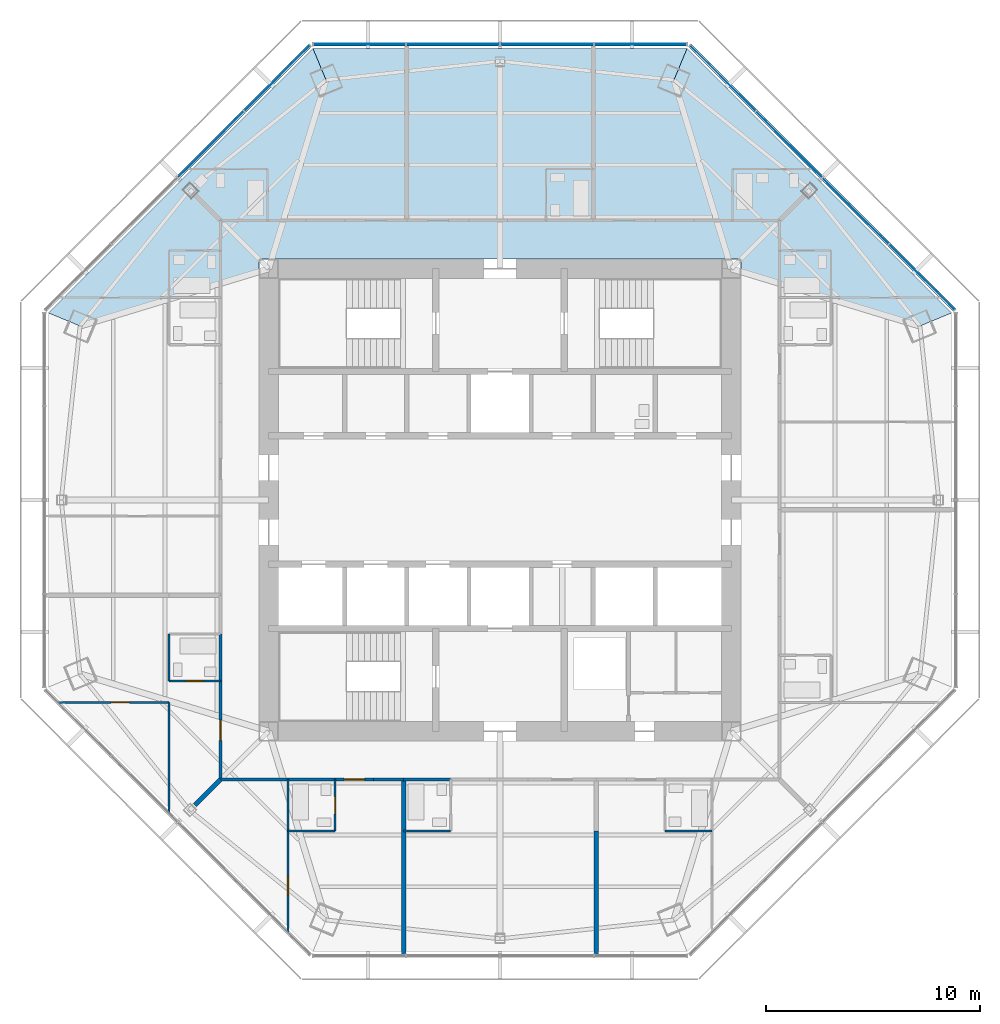
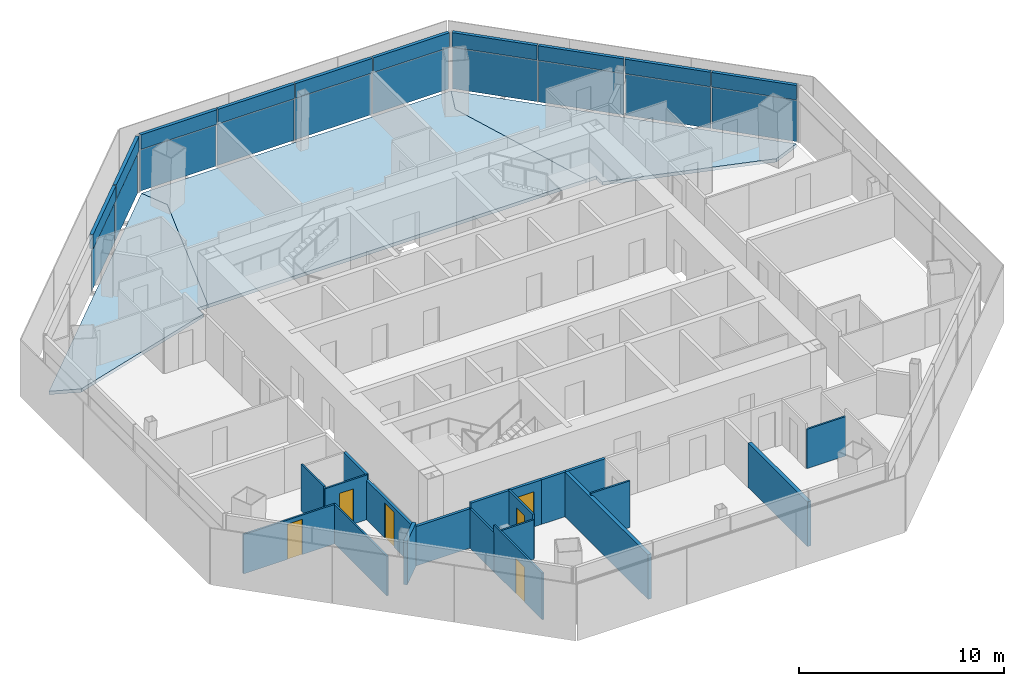
# One storey, part 8 of 14: 20 plates, 20 walls, 6 doors, 3 slabs, 6 openings, 3 elements without a shape of their own.
"""IFC4 building model written with IfcOpenShell, lengths in metres."""

from ifc_helpers import new_model, si_unit, direction, frame, frame_2d, origin, origin_2d, place, context, subcontext, project, spatial, polyline, rectangle, outline, extrude, source, transform, mapped, material, layer, layer_set, type_object, type_shapes, element, fill, aggregate, save


model = new_model("IFC4")

# Units and contexts
model_context = context("Model", 3, precision=1e-05, world=origin(), true_north=direction((0.0, 1.0)))
body_context = subcontext(model_context, "Body", "Model", "MODEL_VIEW")
ifc_project = project(units=[si_unit("LENGTHUNIT", "METRE"), si_unit("AREAUNIT", "SQUARE_METRE"), si_unit("VOLUMEUNIT", "CUBIC_METRE"), si_unit("PLANEANGLEUNIT", "RADIAN"), si_unit("MASSUNIT", "GRAM", prefix="KILO")], contexts=[model_context])

# Site, building, storey
site_placement = place(None, origin())
site = spatial("IfcSite", under=ifc_project, at=site_placement, CompositionType="ELEMENT")
building_placement = place(site_placement, origin())
building = spatial("IfcBuilding", under=site, at=building_placement, Name="Mashrafa Tower", CompositionType="ELEMENT")
storey_placement = place(building_placement, frame((0.0, 0.0, 238.0)))
storey = spatial("IfcBuildingStorey", under=building, at=storey_placement, Name="L56", CompositionType="ELEMENT", Elevation=238.0)

# Slabs
ifc_material_1 = material(Name="Concrete C35/45", Category="concrete")
ifc_layer_1 = layer(ifc_material_1, 0.199951171875)
ifc_layer_set_1 = layer_set([ifc_layer_1], Name="Floor slab 200")
slab_type = type_object("IfcSlabType", Name="Floor slab 200", PredefinedType="FLOOR", material=ifc_layer_set_1)
slab_1_placement = place(storey_placement, frame((0.0, 0.0, -0.199951171875)))
element("IfcSlab", 1, at=slab_1_placement, inside=storey, type_object=slab_type, Name="Floor slab L56 north-east bay", PredefinedType="FLOOR", context=body_context, shape_type="SweptSolid", body=[
    extrude(outline(polyline([(8.732421875, 21.08203125), (21.08203125, 8.732421875), (21.08203125, 8.732421875), (19.609619140625, 8.12255859375), (11.25, 10.663330078125), (11.25, 11.25), (10.663330078125, 11.25), (8.12255859375, 19.609619140625), (8.732421875, 21.08203125), (8.732421875, 21.08203125)])), origin(), (0.0, 0.0, 1.0), 0.199951171875),
])
slab_2_placement = place(storey_placement, frame((0.0, 0.0, -0.199951171875)))
element("IfcSlab", 2, at=slab_2_placement, inside=storey, type_object=slab_type, Name="Floor slab L56 north bay", PredefinedType="FLOOR", context=body_context, shape_type="SweptSolid", body=[
    extrude(outline(polyline([(8.732421875, 21.08203125), (8.12255859375, 19.609619140625), (10.663330078125, 11.25), (-10.663330078125, 11.25), (-8.12255859375, 19.609619140625), (-8.732421875, 21.08203125), (8.732421875, 21.08203125)])), origin(), (0.0, 0.0, 1.0), 0.199951171875),
])
slab_3_placement = place(storey_placement, frame((0.0, 0.0, -0.199951171875)))
element("IfcSlab", 3, at=slab_3_placement, inside=storey, type_object=slab_type, Name="Floor slab L56 north-west bay", PredefinedType="FLOOR", context=body_context, shape_type="SweptSolid", body=[
    extrude(outline(polyline([(-21.08203125, 8.732421875), (-8.732421875, 21.08203125), (-8.732421875, 21.08203125), (-8.12255859375, 19.609619140625), (-10.663330078125, 11.25), (-11.25, 11.25), (-11.25, 10.663330078125), (-19.609619140625, 8.12255859375), (-21.08203125, 8.732421875), (-21.08203125, 8.732421875)])), origin(), (0.0, 0.0, 1.0), 0.199951171875),
])

# Curtain wall, plates
ifc_material_2 = material(Name="Unitised aluminium curtain wall", Category="aluminium")
curtain_wall_type = type_object("IfcCurtainWallType", Name="Apartment curtain wall, zone 3 CW-C 180 deep", PredefinedType="NOTDEFINED", material=ifc_material_2)
curtain_wall_1_placement = place(storey_placement, origin())
curtain_wall_1 = element("IfcCurtainWall", 4, at=curtain_wall_1_placement, inside=storey, type_object=curtain_wall_type, Name="Apartment curtain wall, zone 3 L56 north-east", PredefinedType="NOTDEFINED")
ifc_material_3 = material(Name="Insulated double glazing, acoustic", Category="glass")
ifc_layer_2 = layer(ifc_material_3, 0.028076171875)
ifc_layer_set_2 = layer_set([ifc_layer_2], Name="Vision panel CW-C 28")
plate_type_1 = type_object("IfcPlateType", Name="Vision panel CW-C 28", PredefinedType="CURTAIN_PANEL", material=ifc_layer_set_2)
shared_shape_1 = source(origin(), body_context, "Body", "SweptSolid", [
    extrude(rectangle(XDim=4.2939453125, YDim=0.028076171875, at=origin_2d()), origin(), (0.0, 0.0, 1.0), 2.46240234375),
])
plate_1_placement = place(storey_placement, frame((19.68798828125, 10.409423828125, 0.0), z_axis=(0.0, 0.0, 1.0), x_axis=(-0.707106781187, 0.707106781187, 0.0)))
plate_1 = element("IfcPlate", 5, at=plate_1_placement, type_object=plate_type_1, Name="CW-C vision panel 1", PredefinedType="CURTAIN_PANEL", context=body_context, shape_type="MappedRepresentation", body=[
    mapped(shared_shape_1, transform((0.0, 0.0, 0.0))),
])
plate_2_placement = place(storey_placement, frame((10.409423828125, 19.68798828125, 0.0), z_axis=(0.0, 0.0, 1.0), x_axis=(-0.707106781187, 0.707106781187, 0.0)))
plate_2 = element("IfcPlate", 6, at=plate_2_placement, type_object=plate_type_1, Name="CW-C vision panel 4", PredefinedType="CURTAIN_PANEL", context=body_context, shape_type="MappedRepresentation", body=[
    mapped(shared_shape_1, transform((0.0, 0.0, 0.0))),
])

curtain_wall_2_placement = place(storey_placement, origin())
curtain_wall_2 = element("IfcCurtainWall", 7, at=curtain_wall_2_placement, inside=storey, type_object=curtain_wall_type, Name="Apartment curtain wall, zone 3 L56 north", PredefinedType="NOTDEFINED")
plate_3_placement = place(storey_placement, frame((6.56103515625, 21.281982421875, 0.0), z_axis=(0.0, 0.0, 1.0), x_axis=(-1.0, 0.0, 0.0)))
plate_3 = element("IfcPlate", 8, at=plate_3_placement, type_object=plate_type_1, Name="CW-C vision panel 1", PredefinedType="CURTAIN_PANEL", context=body_context, shape_type="MappedRepresentation", body=[
    mapped(shared_shape_1, transform((0.0, 0.0, 0.0))),
])
plate_4_placement = place(storey_placement, frame((-6.56103515625, 21.281982421875, 0.0), z_axis=(0.0, 0.0, 1.0), x_axis=(-1.0, 0.0, 0.0)))
plate_4 = element("IfcPlate", 9, at=plate_4_placement, type_object=plate_type_1, Name="CW-C vision panel 4", PredefinedType="CURTAIN_PANEL", context=body_context, shape_type="MappedRepresentation", body=[
    mapped(shared_shape_1, transform((0.0, 0.0, 0.0))),
])

# Curtain wall, plate
curtain_wall_3_placement = place(storey_placement, origin())
curtain_wall_3 = element("IfcCurtainWall", 10, at=curtain_wall_3_placement, inside=storey, type_object=curtain_wall_type, Name="Apartment curtain wall, zone 3 L56 north-west", PredefinedType="NOTDEFINED")
plate_5_placement = place(storey_placement, frame((-10.409423828125, 19.68798828125, 0.0), z_axis=(0.0, 0.0, 1.0), x_axis=(-0.707106781187, -0.707106781187, 0.0)))
plate_5 = element("IfcPlate", 11, at=plate_5_placement, type_object=plate_type_1, Name="CW-C vision panel 1", PredefinedType="CURTAIN_PANEL", context=body_context, shape_type="MappedRepresentation", body=[
    mapped(shared_shape_1, transform((0.0, 0.0, 0.0))),
])

# Plate
ifc_material_4 = material(Name="Insulated bronze aluminium spandrel panel", Category="aluminium")
ifc_layer_3 = layer(ifc_material_4, 0.179931640625)
ifc_layer_set_3 = layer_set([ifc_layer_3], Name="Spandrel panel CW-C 180")
plate_type_2 = type_object("IfcPlateType", Name="Spandrel panel CW-C 180", PredefinedType="CURTAIN_PANEL", material=ifc_layer_set_3)
shared_shape_2 = source(origin(), body_context, "Body", "SweptSolid", [
    extrude(rectangle(XDim=4.2939453125, YDim=0.179931640625, at=origin_2d()), origin(), (0.0, 0.0, 1.0), 0.862548828125),
])
plate_6_placement = place(storey_placement, frame((19.68798828125, 10.409423828125, 2.53759765625), z_axis=(0.0, 0.0, 1.0), x_axis=(-0.707106781187, 0.707106781187, 0.0)))
plate_6 = element("IfcPlate", 12, at=plate_6_placement, type_object=plate_type_2, Name="CW-C spandrel panel 1", PredefinedType="CURTAIN_PANEL", context=body_context, shape_type="MappedRepresentation", body=[
    mapped(shared_shape_2, transform((0.0, 0.0, 0.0))),
])

plate_7_placement = place(storey_placement, frame((10.409423828125, 19.68798828125, 2.53759765625), z_axis=(0.0, 0.0, 1.0), x_axis=(-0.707106781187, 0.707106781187, 0.0)))
plate_7 = element("IfcPlate", 13, at=plate_7_placement, type_object=plate_type_2, Name="CW-C spandrel panel 4", PredefinedType="CURTAIN_PANEL", context=body_context, shape_type="MappedRepresentation", body=[
    mapped(shared_shape_2, transform((0.0, 0.0, 0.0))),
])

plate_8_placement = place(storey_placement, frame((6.56103515625, 21.281982421875, 2.53759765625), z_axis=(0.0, 0.0, 1.0), x_axis=(-1.0, 0.0, 0.0)))
plate_8 = element("IfcPlate", 14, at=plate_8_placement, type_object=plate_type_2, Name="CW-C spandrel panel 1", PredefinedType="CURTAIN_PANEL", context=body_context, shape_type="MappedRepresentation", body=[
    mapped(shared_shape_2, transform((0.0, 0.0, 0.0))),
])

plate_9_placement = place(storey_placement, frame((-6.56103515625, 21.281982421875, 2.53759765625), z_axis=(0.0, 0.0, 1.0), x_axis=(-1.0, 0.0, 0.0)))
plate_9 = element("IfcPlate", 15, at=plate_9_placement, type_object=plate_type_2, Name="CW-C spandrel panel 4", PredefinedType="CURTAIN_PANEL", context=body_context, shape_type="MappedRepresentation", body=[
    mapped(shared_shape_2, transform((0.0, 0.0, 0.0))),
])

plate_10_placement = place(storey_placement, frame((-10.409423828125, 19.68798828125, 2.53759765625), z_axis=(0.0, 0.0, 1.0), x_axis=(-0.707106781187, -0.707106781187, 0.0)))
plate_10 = element("IfcPlate", 16, at=plate_10_placement, type_object=plate_type_2, Name="CW-C spandrel panel 1", PredefinedType="CURTAIN_PANEL", context=body_context, shape_type="MappedRepresentation", body=[
    mapped(shared_shape_2, transform((0.0, 0.0, 0.0))),
])

shared_shape_3 = source(origin(), body_context, "Body", "SweptSolid", [
    extrude(rectangle(XDim=4.323974609375, YDim=0.028076171875, at=origin_2d()), origin(), (0.0, 0.0, 1.0), 2.46240234375),
])
type_shapes(plate_type_1, [shared_shape_1, shared_shape_3])
plate_11_placement = place(storey_placement, frame((16.5986328125, 13.498779296875, 0.0), z_axis=(0.0, 0.0, 1.0), x_axis=(-0.707106781187, 0.707106781187, 0.0)))
plate_11 = element("IfcPlate", 17, at=plate_11_placement, type_object=plate_type_1, Name="CW-C vision panel 2", PredefinedType="CURTAIN_PANEL", context=body_context, shape_type="MappedRepresentation", body=[
    mapped(shared_shape_3, transform((0.0, 0.0, 0.0))),
])

plate_12_placement = place(storey_placement, frame((13.498779296875, 16.5986328125, 0.0), z_axis=(0.0, 0.0, 1.0), x_axis=(-0.707106781187, 0.707106781187, 0.0)))
plate_12 = element("IfcPlate", 18, at=plate_12_placement, type_object=plate_type_1, Name="CW-C vision panel 3", PredefinedType="CURTAIN_PANEL", context=body_context, shape_type="MappedRepresentation", body=[
    mapped(shared_shape_3, transform((0.0, 0.0, 0.0))),
])

plate_13_placement = place(storey_placement, frame((2.19189453125, 21.281982421875, 0.0), z_axis=(0.0, 0.0, 1.0), x_axis=(-1.0, 0.0, 0.0)))
plate_13 = element("IfcPlate", 19, at=plate_13_placement, type_object=plate_type_1, Name="CW-C vision panel 2", PredefinedType="CURTAIN_PANEL", context=body_context, shape_type="MappedRepresentation", body=[
    mapped(shared_shape_3, transform((0.0, 0.0, 0.0))),
])

plate_14_placement = place(storey_placement, frame((-2.19189453125, 21.281982421875, 0.0), z_axis=(0.0, 0.0, 1.0), x_axis=(-1.0, 0.0, 0.0)))
plate_14 = element("IfcPlate", 20, at=plate_14_placement, type_object=plate_type_1, Name="CW-C vision panel 3", PredefinedType="CURTAIN_PANEL", context=body_context, shape_type="MappedRepresentation", body=[
    mapped(shared_shape_3, transform((0.0, 0.0, 0.0))),
])

plate_15_placement = place(storey_placement, frame((-13.498779296875, 16.5986328125, 0.0), z_axis=(0.0, 0.0, 1.0), x_axis=(-0.707106781187, -0.707106781187, 0.0)))
plate_15 = element("IfcPlate", 21, at=plate_15_placement, type_object=plate_type_1, Name="CW-C vision panel 2", PredefinedType="CURTAIN_PANEL", context=body_context, shape_type="MappedRepresentation", body=[
    mapped(shared_shape_3, transform((0.0, 0.0, 0.0))),
])

shared_shape_4 = source(origin(), body_context, "Body", "SweptSolid", [
    extrude(rectangle(XDim=4.323974609375, YDim=0.179931640625, at=origin_2d()), origin(), (0.0, 0.0, 1.0), 0.862548828125),
])
type_shapes(plate_type_2, [shared_shape_2, shared_shape_4])
plate_16_placement = place(storey_placement, frame((16.5986328125, 13.498779296875, 2.53759765625), z_axis=(0.0, 0.0, 1.0), x_axis=(-0.707106781187, 0.707106781187, 0.0)))
plate_16 = element("IfcPlate", 22, at=plate_16_placement, type_object=plate_type_2, Name="CW-C spandrel panel 2", PredefinedType="CURTAIN_PANEL", context=body_context, shape_type="MappedRepresentation", body=[
    mapped(shared_shape_4, transform((0.0, 0.0, 0.0))),
])

plate_17_placement = place(storey_placement, frame((13.498779296875, 16.5986328125, 2.53759765625), z_axis=(0.0, 0.0, 1.0), x_axis=(-0.707106781187, 0.707106781187, 0.0)))
plate_17 = element("IfcPlate", 23, at=plate_17_placement, type_object=plate_type_2, Name="CW-C spandrel panel 3", PredefinedType="CURTAIN_PANEL", context=body_context, shape_type="MappedRepresentation", body=[
    mapped(shared_shape_4, transform((0.0, 0.0, 0.0))),
])

aggregate(curtain_wall_1, [plate_1, plate_6, plate_11, plate_16, plate_12, plate_17, plate_2, plate_7])

plate_18_placement = place(storey_placement, frame((2.19189453125, 21.281982421875, 2.53759765625), z_axis=(0.0, 0.0, 1.0), x_axis=(-1.0, 0.0, 0.0)))
plate_18 = element("IfcPlate", 24, at=plate_18_placement, type_object=plate_type_2, Name="CW-C spandrel panel 2", PredefinedType="CURTAIN_PANEL", context=body_context, shape_type="MappedRepresentation", body=[
    mapped(shared_shape_4, transform((0.0, 0.0, 0.0))),
])

plate_19_placement = place(storey_placement, frame((-2.19189453125, 21.281982421875, 2.53759765625), z_axis=(0.0, 0.0, 1.0), x_axis=(-1.0, 0.0, 0.0)))
plate_19 = element("IfcPlate", 25, at=plate_19_placement, type_object=plate_type_2, Name="CW-C spandrel panel 3", PredefinedType="CURTAIN_PANEL", context=body_context, shape_type="MappedRepresentation", body=[
    mapped(shared_shape_4, transform((0.0, 0.0, 0.0))),
])

aggregate(curtain_wall_2, [plate_3, plate_8, plate_13, plate_18, plate_14, plate_19, plate_4, plate_9])

plate_20_placement = place(storey_placement, frame((-13.498779296875, 16.5986328125, 2.53759765625), z_axis=(0.0, 0.0, 1.0), x_axis=(-0.707106781187, -0.707106781187, 0.0)))
plate_20 = element("IfcPlate", 26, at=plate_20_placement, type_object=plate_type_2, Name="CW-C spandrel panel 2", PredefinedType="CURTAIN_PANEL", context=body_context, shape_type="MappedRepresentation", body=[
    mapped(shared_shape_4, transform((0.0, 0.0, 0.0))),
])

aggregate(curtain_wall_3, [plate_5, plate_10, plate_15, plate_20])

# Walls
ifc_material_5 = material(Name="Gypsum board on steel studs", Category="steel")
ifc_layer_4 = layer(ifc_material_5, 0.199951171875)
ifc_layer_set_4 = layer_set([ifc_layer_4], Name="Acoustic partition 200 1 hr")
wall_type_1 = type_object("IfcWallType", Name="Acoustic partition 200 1 hr", PredefinedType="PARTITIONING", material=ifc_layer_set_4)
wall_1_placement = place(storey_placement, frame((-14.242431640625, -14.242431640625, 0.0), z_axis=(0.0, 0.0, 1.0), x_axis=(0.707106781187, 0.707106781187, 0.0)))
element("IfcWall", 27, at=wall_1_placement, inside=storey, type_object=wall_type_1, Name="Acoustic wall L56-085", PredefinedType="PARTITIONING", context=body_context, shape_type="SweptSolid", body=[
    extrude(rectangle(XDim=1.686279296875, YDim=0.199951171875, at=frame_2d((0.84326171875, 0.0))), origin(), (0.0, 0.0, 1.0), 2.587890625),
])
wall_2_placement = place(storey_placement, frame((-4.5, -13.050048828125, 0.0), z_axis=(0.0, 0.0, 1.0), x_axis=(0.0, -1.0, 0.0)))
element("IfcWall", 28, at=wall_2_placement, inside=storey, type_object=wall_type_1, Name="Acoustic wall L56-090", PredefinedType="PARTITIONING", context=body_context, shape_type="SweptSolid", body=[
    extrude(rectangle(XDim=8.2138671875, YDim=0.199951171875, at=frame_2d((4.10693359375, 0.0))), origin(), (0.0, 0.0, 1.0), 2.66162109375),
])
wall_3_placement = place(storey_placement, frame((4.5, -21.263916015625, 0.0), z_axis=(0.0, 0.0, 1.0), x_axis=(0.0, 1.0, 0.0)))
element("IfcWall", 29, at=wall_3_placement, inside=storey, type_object=wall_type_1, Name="Acoustic wall L56-095", PredefinedType="PARTITIONING", context=body_context, shape_type="SweptSolid", body=[
    extrude(rectangle(XDim=5.81494140625, YDim=0.199951171875, at=frame_2d((2.907470703125, 0.0))), origin(), (0.0, 0.0, 1.0), 2.66162109375),
])
ifc_material_6 = material(Name="Gypsum board on steel studs", Category="steel")
ifc_layer_5 = layer(ifc_material_6, 0.14990234375)
ifc_layer_set_5 = layer_set([ifc_layer_5], Name="Corridor partition 150 1 hr")
wall_type_2 = type_object("IfcWallType", Name="Corridor partition 150 1 hr", PredefinedType="PARTITIONING", material=ifc_layer_set_5)
wall_4_placement = place(storey_placement, frame((-13.050048828125, -6.2490234375, 0.0), z_axis=(0.0, 0.0, 1.0), x_axis=(0.0, -1.0, 0.0)))
element("IfcWall", 30, at=wall_4_placement, inside=storey, type_object=wall_type_2, Name="Corridor wall L56-031", PredefinedType="PARTITIONING", context=body_context, shape_type="SweptSolid", body=[
    extrude(rectangle(XDim=2.201904296875, YDim=0.14990234375, at=frame_2d((1.10107421875, 0.0))), origin(), (0.0, 0.0, 1.0), 2.66162109375),
])

# Wall, opening, door
wall_5_placement = place(storey_placement, frame((-13.050048828125, -8.448974609375, 0.0), z_axis=(0.0, 0.0, 1.0), x_axis=(0.0, -1.0, 0.0)))
wall_5 = element("IfcWall", 31, at=wall_5_placement, inside=storey, type_object=wall_type_2, Name="Corridor wall L56-033", PredefinedType="PARTITIONING", context=body_context, shape_type="SweptSolid", body=[
    extrude(rectangle(XDim=4.60107421875, YDim=0.14990234375, at=frame_2d((2.300537109375, 0.0))), origin(), (0.0, 0.0, 1.0), 2.349365234375),
])
opening_1_placement = place(wall_5_placement, frame((1.825439453125, 0.0, 0.0)))
opening_1 = element("IfcOpeningElement", 32, at=opening_1_placement, cuts=wall_5, Name="Opening 56.022", PredefinedType="OPENING", context=body_context, shape_type="SweptSolid", body=[
    extrude(rectangle(XDim=0.949951171875, YDim=2.10009765625, at=frame_2d((0.47509765625, 1.050048828125))), frame((0.0, 0.0849609375, 0.0), z_axis=(0.0, -1.0, 0.0), x_axis=(1.0, 0.0, 0.0)), (0.0, 0.0, 1.0), 0.169921875),
])
ifc_material_7 = material(Name="Steel door", Category="steel")
door_type_1 = type_object("IfcDoorType", Name="Residence entrance door 950 x 2100 20 min", OperationType="USERDEFINED", PredefinedType="DOOR", material=ifc_material_7)
door_1_placement = place(opening_1_placement, frame((0.949951171875, 0.0, 0.0), z_axis=(0.0, 0.0, 1.0), x_axis=(-1.0, 0.0, 0.0)))
door_1 = element("IfcDoor", 33, at=door_1_placement, inside=storey, type_object=door_type_1, Name="Apartment 5607 Living Room door", OperationType="SINGLE_SWING_LEFT", OverallHeight=2.10009765625, OverallWidth=0.949951171875, PredefinedType="DOOR", context=body_context, shape_type="SweptSolid", body=[
    extrude(rectangle(XDim=0.949951171875, YDim=2.10009765625, at=frame_2d((0.47509765625, 1.050048828125))), frame((0.0, 0.02490234375, 0.0), z_axis=(0.0, -1.0, 0.0), x_axis=(1.0, 0.0, 0.0)), (0.0, 0.0, 1.0), 0.050048828125),
])
fill(opening_1, door_1)

# Walls
wall_6_placement = place(storey_placement, frame((-13.050048828125, -13.050048828125, 0.0), z_axis=(0.0, 0.0, 1.0), x_axis=(1.0, 0.0, 0.0)))
element("IfcWall", 34, at=wall_6_placement, inside=storey, type_object=wall_type_2, Name="Corridor wall L56-034", PredefinedType="PARTITIONING", context=body_context, shape_type="SweptSolid", body=[
    extrude(rectangle(XDim=3.151123046875, YDim=0.14990234375, at=frame_2d((1.57568359375, 0.0))), origin(), (0.0, 0.0, 1.0), 2.349365234375),
])
wall_7_placement = place(storey_placement, frame((-9.90087890625, -13.050048828125, 0.0), z_axis=(0.0, 0.0, 1.0), x_axis=(1.0, 0.0, 0.0)))
element("IfcWall", 35, at=wall_7_placement, inside=storey, type_object=wall_type_2, Name="Corridor wall L56-035", PredefinedType="PARTITIONING", context=body_context, shape_type="SweptSolid", body=[
    extrude(rectangle(XDim=2.201904296875, YDim=0.14990234375, at=frame_2d((1.10107421875, 0.0))), origin(), (0.0, 0.0, 1.0), 2.66162109375),
])
wall_8_placement = place(storey_placement, frame((-5.90087890625, -13.050048828125, 0.0), z_axis=(0.0, 0.0, 1.0), x_axis=(1.0, 0.0, 0.0)))
element("IfcWall", 36, at=wall_8_placement, inside=storey, type_object=wall_type_2, Name="Corridor wall L56-036", PredefinedType="PARTITIONING", context=body_context, shape_type="SweptSolid", body=[
    extrude(rectangle(XDim=1.40185546875, YDim=0.14990234375, at=frame_2d((0.700927734375, 0.0))), origin(), (0.0, 0.0, 1.0), 2.66162109375),
])

# Wall, opening, door
wall_9_placement = place(storey_placement, frame((-7.700927734375, -13.050048828125, 0.0), z_axis=(0.0, 0.0, 1.0), x_axis=(1.0, 0.0, 0.0)))
wall_9 = element("IfcWall", 37, at=wall_9_placement, inside=storey, type_object=wall_type_2, Name="Corridor wall L56-037", PredefinedType="PARTITIONING", context=body_context, shape_type="SweptSolid", body=[
    extrude(rectangle(XDim=1.802001953125, YDim=0.14990234375, at=frame_2d((0.90087890625, 0.0))), origin(), (0.0, 0.0, 1.0), 2.66162109375),
])
opening_2_placement = place(wall_9_placement, frame((0.426025390625, 0.0, 0.0)))
opening_2 = element("IfcOpeningElement", 38, at=opening_2_placement, cuts=wall_9, Name="Opening 56.025", PredefinedType="OPENING", context=body_context, shape_type="SweptSolid", body=[
    extrude(rectangle(XDim=0.949951171875, YDim=2.10009765625, at=frame_2d((0.47509765625, 1.050048828125))), frame((0.0, 0.0849609375, 0.0), z_axis=(0.0, -1.0, 0.0), x_axis=(1.0, 0.0, 0.0)), (0.0, 0.0, 1.0), 0.169921875),
])
door_2_placement = place(opening_2_placement, frame((0.949951171875, 0.0, 0.0), z_axis=(0.0, 0.0, 1.0), x_axis=(-1.0, 0.0, 0.0)))
door_2 = element("IfcDoor", 39, at=door_2_placement, inside=storey, type_object=door_type_1, Name="Apartment 5608 Living Room door", OperationType="SINGLE_SWING_LEFT", OverallHeight=2.10009765625, OverallWidth=0.949951171875, PredefinedType="DOOR", context=body_context, shape_type="SweptSolid", body=[
    extrude(rectangle(XDim=0.949951171875, YDim=2.10009765625, at=frame_2d((0.47509765625, 1.050048828125))), frame((0.0, 0.02490234375, 0.0), z_axis=(0.0, -1.0, 0.0), x_axis=(1.0, 0.0, 0.0)), (0.0, 0.0, 1.0), 0.050048828125),
])
fill(opening_2, door_2)

# Walls
wall_10_placement = place(storey_placement, frame((-4.5009765625, -13.050048828125, 0.0), z_axis=(0.0, 0.0, 1.0), x_axis=(1.0, 0.0, 0.0)))
element("IfcWall", 40, at=wall_10_placement, inside=storey, type_object=wall_type_2, Name="Corridor wall L56-038", PredefinedType="PARTITIONING", context=body_context, shape_type="SweptSolid", body=[
    extrude(rectangle(XDim=2.201904296875, YDim=0.14990234375, at=frame_2d((1.10107421875, 0.0))), origin(), (0.0, 0.0, 1.0), 2.66162109375),
])
ifc_material_8 = material(Name="Gypsum board on steel studs", Category="steel")
ifc_layer_6 = layer(ifc_material_8, 0.10009765625)
ifc_layer_set_6 = layer_set([ifc_layer_6], Name="Partition 100")
wall_type_3 = type_object("IfcWallType", Name="Partition 100", PredefinedType="PARTITIONING", material=ifc_layer_set_6)
wall_11_placement = place(storey_placement, frame((-15.449951171875, -14.62353515625, 0.0), z_axis=(0.0, 0.0, 1.0), x_axis=(0.0, 1.0, 0.0)))
element("IfcWall", 41, at=wall_11_placement, inside=storey, type_object=wall_type_3, Name="Partition wall L56-080", PredefinedType="PARTITIONING", context=body_context, shape_type="SweptSolid", body=[
    extrude(rectangle(XDim=5.173583984375, YDim=0.10009765625, at=frame_2d((2.5869140625, 0.0))), origin(), (0.0, 0.0, 1.0), 2.349365234375),
])

# Wall, opening, door
wall_12_placement = place(storey_placement, frame((-15.449951171875, -9.449951171875, 0.0), z_axis=(0.0, 0.0, 1.0), x_axis=(-1.0, 0.0, 0.0)))
wall_12 = element("IfcWall", 42, at=wall_12_placement, inside=storey, type_object=wall_type_3, Name="Partition wall L56-081", PredefinedType="PARTITIONING", context=body_context, shape_type="SweptSolid", body=[
    extrude(rectangle(XDim=5.175537109375, YDim=0.10009765625, at=frame_2d((2.587890625, 0.0))), origin(), (0.0, 0.0, 1.0), 2.349365234375),
])
opening_3_placement = place(wall_12_placement, frame((1.85546875, 0.0, 0.0)))
opening_3 = element("IfcOpeningElement", 43, at=opening_3_placement, cuts=wall_12, Name="Opening 56.020", PredefinedType="OPENING", context=body_context, shape_type="SweptSolid", body=[
    extrude(rectangle(XDim=0.85009765625, YDim=2.10009765625, at=frame_2d((0.425048828125, 1.050048828125))), frame((0.0, 0.06005859375, 0.0), z_axis=(0.0, -1.0, 0.0), x_axis=(1.0, 0.0, 0.0)), (0.0, 0.0, 1.0), 0.1201171875),
])
ifc_material_9 = material(Name="Timber door", Category="wood")
door_type_2 = type_object("IfcDoorType", Name="Bedroom door 850 x 2100", OperationType="USERDEFINED", PredefinedType="DOOR", material=ifc_material_9)
door_3_placement = place(opening_3_placement, origin())
door_3 = element("IfcDoor", 44, at=door_3_placement, inside=storey, type_object=door_type_2, Name="Apartment 5607 Bedroom 1 door", OperationType="SINGLE_SWING_RIGHT", OverallHeight=2.10009765625, OverallWidth=0.85009765625, PredefinedType="DOOR", context=body_context, shape_type="SweptSolid", body=[
    extrude(rectangle(XDim=0.85009765625, YDim=2.10009765625, at=frame_2d((0.425048828125, 1.050048828125))), frame((0.0, 0.02490234375, 0.0), z_axis=(0.0, -1.0, 0.0), x_axis=(1.0, 0.0, 0.0)), (0.0, 0.0, 1.0), 0.050048828125),
])
fill(opening_3, door_3)

# Wall
wall_13_placement = place(storey_placement, frame((-15.449951171875, -6.25, 0.0), z_axis=(0.0, 0.0, 1.0), x_axis=(0.0, -1.0, 0.0)))
element("IfcWall", 45, at=wall_13_placement, inside=storey, type_object=wall_type_3, Name="Partition wall L56-083", PredefinedType="PARTITIONING", context=body_context, shape_type="SweptSolid", body=[
    extrude(rectangle(XDim=2.199951171875, YDim=0.10009765625, at=frame_2d((1.10009765625, 0.0))), origin(), (0.0, 0.0, 1.0), 2.78369140625),
])

# Wall, opening, door
wall_14_placement = place(storey_placement, frame((-15.449951171875, -8.449951171875, 0.0), z_axis=(0.0, 0.0, 1.0), x_axis=(1.0, 0.0, 0.0)))
wall_14 = element("IfcWall", 46, at=wall_14_placement, inside=storey, type_object=wall_type_3, Name="Partition wall L56-084", PredefinedType="PARTITIONING", context=body_context, shape_type="SweptSolid", body=[
    extrude(rectangle(XDim=2.39990234375, YDim=0.10009765625, at=frame_2d((1.199951171875, 0.0))), origin(), (0.0, 0.0, 1.0), 2.66162109375),
])
opening_4_placement = place(wall_14_placement, frame((0.800048828125, 0.0, 0.0)))
opening_4 = element("IfcOpeningElement", 47, at=opening_4_placement, cuts=wall_14, Name="Opening 56.021", PredefinedType="OPENING", context=body_context, shape_type="SweptSolid", body=[
    extrude(rectangle(XDim=0.800048828125, YDim=2.10009765625, at=frame_2d((0.39990234375, 1.050048828125))), frame((0.0, 0.06005859375, 0.0), z_axis=(0.0, -1.0, 0.0), x_axis=(1.0, 0.0, 0.0)), (0.0, 0.0, 1.0), 0.1201171875),
])
ifc_material_10 = material(Name="Timber door", Category="wood")
door_type_3 = type_object("IfcDoorType", Name="Bathroom door 800 x 2100", OperationType="USERDEFINED", PredefinedType="DOOR", material=ifc_material_10)
door_4_placement = place(opening_4_placement, origin())
door_4 = element("IfcDoor", 48, at=door_4_placement, inside=storey, type_object=door_type_3, Name="Apartment 5607 Bathroom door", OperationType="SINGLE_SWING_RIGHT", OverallHeight=2.10009765625, OverallWidth=0.800048828125, PredefinedType="DOOR", context=body_context, shape_type="SweptSolid", body=[
    extrude(rectangle(XDim=0.800048828125, YDim=2.10009765625, at=frame_2d((0.39990234375, 1.050048828125))), frame((0.0, 0.02490234375, 0.0), z_axis=(0.0, -1.0, 0.0), x_axis=(1.0, 0.0, 0.0)), (0.0, 0.0, 1.0), 0.050048828125),
])
fill(opening_4, door_4)

# Wall
wall_15_placement = place(storey_placement, frame((-9.89990234375, -15.450927734375, 0.0), z_axis=(0.0, 0.0, 1.0), x_axis=(0.0, 1.0, 0.0)))
element("IfcWall", 49, at=wall_15_placement, inside=storey, type_object=wall_type_3, Name="Partition wall L56-086", PredefinedType="PARTITIONING", context=body_context, shape_type="SweptSolid", body=[
    extrude(rectangle(XDim=2.40087890625, YDim=0.10009765625, at=frame_2d((1.200439453125, 0.0))), origin(), (0.0, 0.0, 1.0), 2.349365234375),
])

# Wall, opening, door
wall_16_placement = place(storey_placement, frame((-9.89990234375, -20.175537109375, 0.0), z_axis=(0.0, 0.0, 1.0), x_axis=(0.0, 1.0, 0.0)))
wall_16 = element("IfcWall", 50, at=wall_16_placement, inside=storey, type_object=wall_type_3, Name="Partition wall L56-087", PredefinedType="PARTITIONING", context=body_context, shape_type="SweptSolid", body=[
    extrude(rectangle(XDim=4.7265625, YDim=0.10009765625, at=frame_2d((2.36328125, 0.0))), origin(), (0.0, 0.0, 1.0), 2.78369140625),
])
opening_5_placement = place(wall_16_placement, frame((1.741455078125, 0.0, 0.0)))
opening_5 = element("IfcOpeningElement", 51, at=opening_5_placement, cuts=wall_16, Name="Opening 56.023", PredefinedType="OPENING", context=body_context, shape_type="SweptSolid", body=[
    extrude(rectangle(XDim=0.85009765625, YDim=2.10009765625, at=frame_2d((0.425048828125, 1.050048828125))), frame((0.0, 0.06005859375, 0.0), z_axis=(0.0, -1.0, 0.0), x_axis=(1.0, 0.0, 0.0)), (0.0, 0.0, 1.0), 0.1201171875),
])
door_5_placement = place(opening_5_placement, origin())
door_5 = element("IfcDoor", 52, at=door_5_placement, inside=storey, type_object=door_type_2, Name="Apartment 5608 Bedroom 1 door", OperationType="SINGLE_SWING_LEFT", OverallHeight=2.10009765625, OverallWidth=0.85009765625, PredefinedType="DOOR", context=body_context, shape_type="SweptSolid", body=[
    extrude(rectangle(XDim=0.85009765625, YDim=2.10009765625, at=frame_2d((0.425048828125, 1.050048828125))), frame((0.0, 0.02490234375, 0.0), z_axis=(0.0, -1.0, 0.0), x_axis=(1.0, 0.0, 0.0)), (0.0, 0.0, 1.0), 0.050048828125),
])
fill(opening_5, door_5)

# Wall
wall_17_placement = place(storey_placement, frame((-9.89990234375, -15.449951171875, 0.0), z_axis=(0.0, 0.0, 1.0), x_axis=(1.0, 0.0, 0.0)))
element("IfcWall", 53, at=wall_17_placement, inside=storey, type_object=wall_type_3, Name="Partition wall L56-088", PredefinedType="PARTITIONING", context=body_context, shape_type="SweptSolid", body=[
    extrude(rectangle(XDim=2.199951171875, YDim=0.10009765625, at=frame_2d((1.10009765625, 0.0))), origin(), (0.0, 0.0, 1.0), 2.349365234375),
])

# Wall, opening, door
wall_18_placement = place(storey_placement, frame((-7.699951171875, -15.449951171875, 0.0), z_axis=(0.0, 0.0, 1.0), x_axis=(0.0, 1.0, 0.0)))
wall_18 = element("IfcWall", 54, at=wall_18_placement, inside=storey, type_object=wall_type_3, Name="Partition wall L56-089", PredefinedType="PARTITIONING", context=body_context, shape_type="SweptSolid", body=[
    extrude(rectangle(XDim=2.39990234375, YDim=0.10009765625, at=frame_2d((1.199951171875, 0.0))), origin(), (0.0, 0.0, 1.0), 2.66162109375),
])
opening_6_placement = place(wall_18_placement, frame((0.800048828125, 0.0, 0.0)))
opening_6 = element("IfcOpeningElement", 55, at=opening_6_placement, cuts=wall_18, Name="Opening 56.024", PredefinedType="OPENING", context=body_context, shape_type="SweptSolid", body=[
    extrude(rectangle(XDim=0.800048828125, YDim=2.10009765625, at=frame_2d((0.39990234375, 1.050048828125))), frame((0.0, 0.06005859375, 0.0), z_axis=(0.0, -1.0, 0.0), x_axis=(1.0, 0.0, 0.0)), (0.0, 0.0, 1.0), 0.1201171875),
])
door_6_placement = place(opening_6_placement, origin())
door_6 = element("IfcDoor", 56, at=door_6_placement, inside=storey, type_object=door_type_3, Name="Apartment 5608 Bathroom door", OperationType="SINGLE_SWING_RIGHT", OverallHeight=2.10009765625, OverallWidth=0.800048828125, PredefinedType="DOOR", context=body_context, shape_type="SweptSolid", body=[
    extrude(rectangle(XDim=0.800048828125, YDim=2.10009765625, at=frame_2d((0.39990234375, 1.050048828125))), frame((0.0, 0.02490234375, 0.0), z_axis=(0.0, -1.0, 0.0), x_axis=(1.0, 0.0, 0.0)), (0.0, 0.0, 1.0), 0.050048828125),
])
fill(opening_6, door_6)

# Walls
wall_19_placement = place(storey_placement, frame((-4.5, -15.449951171875, 0.0), z_axis=(0.0, 0.0, 1.0), x_axis=(1.0, 0.0, 0.0)))
element("IfcWall", 57, at=wall_19_placement, inside=storey, type_object=wall_type_3, Name="Partition wall L56-092", PredefinedType="PARTITIONING", context=body_context, shape_type="SweptSolid", body=[
    extrude(rectangle(XDim=2.199951171875, YDim=0.10009765625, at=frame_2d((1.10009765625, 0.0))), origin(), (0.0, 0.0, 1.0), 2.78369140625),
])
wall_20_placement = place(storey_placement, frame((7.699951171875, -15.449951171875, 0.0), z_axis=(0.0, 0.0, 1.0), x_axis=(1.0, 0.0, 0.0)))
element("IfcWall", 58, at=wall_20_placement, inside=storey, type_object=wall_type_3, Name="Partition wall L56-099", PredefinedType="PARTITIONING", context=body_context, shape_type="SweptSolid", body=[
    extrude(rectangle(XDim=2.199951171875, YDim=0.10009765625, at=frame_2d((1.10009765625, 0.0))), origin(), (0.0, 0.0, 1.0), 2.349365234375),
])

save(model, "model.ifc")
